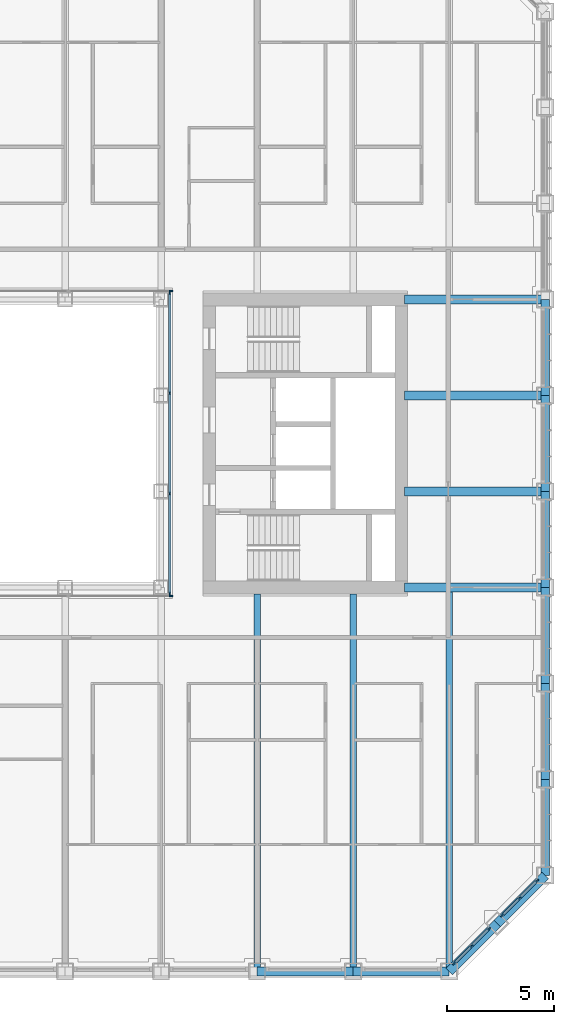
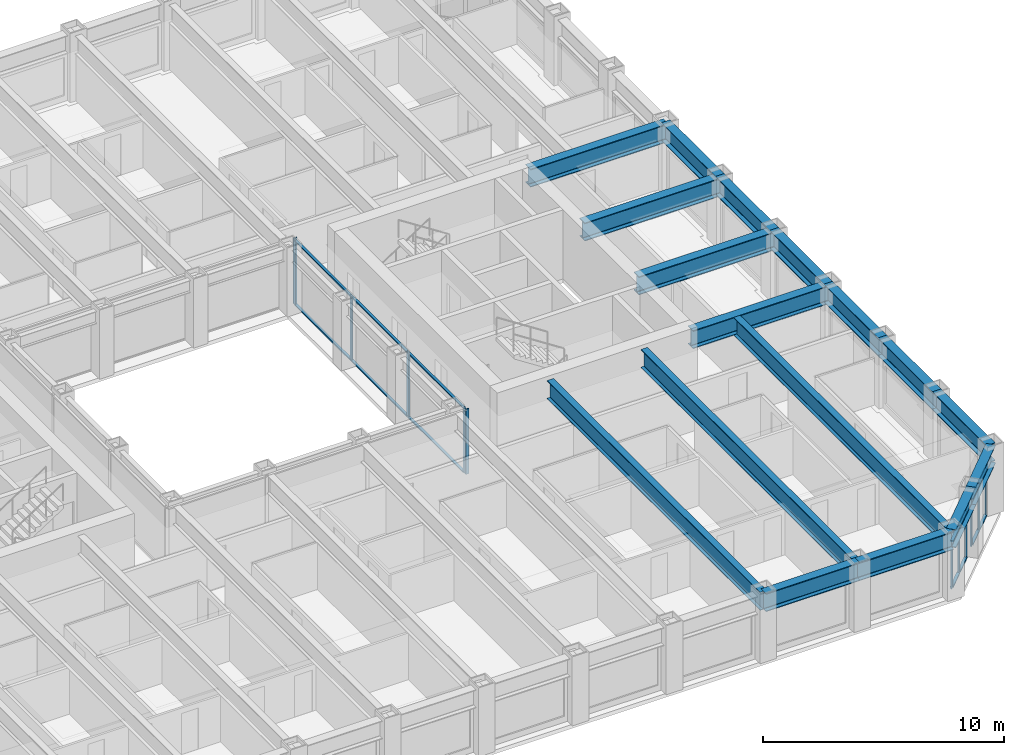
# One storey, part 5 of 20: 26 members, 17 beams, 5 elements without a shape of their own.
"""IFC4 building model written with IfcOpenShell, lengths in metres."""

from ifc_helpers import new_model, si_unit, direction, frame, origin, origin_2d, place, context, subcontext, project, spatial, rectangle, i_section, extrude, material, material_profile, profile_set, type_object, element, aggregate, save


model = new_model("IFC4")

# Units and contexts
model_context = context("Model", 3, precision=1e-05, world=origin(), true_north=direction((0.0, 1.0)))
body_context = subcontext(model_context, "Body", "Model", "MODEL_VIEW")
ifc_project = project(units=[si_unit("LENGTHUNIT", "METRE"), si_unit("AREAUNIT", "SQUARE_METRE"), si_unit("VOLUMEUNIT", "CUBIC_METRE"), si_unit("PLANEANGLEUNIT", "RADIAN"), si_unit("MASSUNIT", "GRAM", prefix="KILO")], contexts=[model_context])

# Site, building, storey
site_placement = place(None, origin())
site = spatial("IfcSite", under=ifc_project, at=site_placement, CompositionType="ELEMENT")
building_placement = place(site_placement, origin())
building = spatial("IfcBuilding", under=site, at=building_placement, Name="Msasa Ring Tower", CompositionType="ELEMENT")
storey_placement = place(building_placement, frame((0.0, 0.0, 58.0)))
storey = spatial("IfcBuildingStorey", under=building, at=storey_placement, Name="L14", CompositionType="ELEMENT", Elevation=58.0)

# Curtain wall, members
ifc_material_1 = material(Name="Aluminium curtain wall with clear glass", Category="aluminium")
curtain_wall_type_1 = type_object("IfcCurtainWallType", Name="CW-C CHAMFER CORNER CURTAIN WALL", PredefinedType="NOTDEFINED", material=ifc_material_1)
curtain_wall_1_placement = place(storey_placement, origin())
curtain_wall_1 = element("IfcCurtainWall", 1, at=curtain_wall_1_placement, inside=storey, type_object=curtain_wall_type_1, Name="Chamfer corner curtain wall SE L14", PredefinedType="NOTDEFINED")
ifc_material_2 = material(Name="Aluminium mullion", Category="aluminium")
ifc_material_profile_1 = material_profile(ifc_material_2, rectangle(XDim=0.06494140625, YDim=0.179931640625, at=origin_2d()), Name="AL 65x180")
ifc_profile_set_1 = profile_set([ifc_material_profile_1], Name="Aluminium mullion")
member_type_1 = type_object("IfcMemberType", Name="CW-C MULLION 65x180", PredefinedType="MULLION", material=ifc_profile_set_1)
member_1_placement = place(storey_placement, frame((20.48876953125, -24.369873046875, 0.0), z_axis=(0.0, 0.0, 1.0), x_axis=(-0.707106781187, 0.707106781187, 0.0)))
member_1 = element("IfcMember", 2, at=member_1_placement, type_object=member_type_1, Name="CW-C mullion 1", PredefinedType="MULLION", context=body_context, shape_type="SweptSolid", body=[
    extrude(rectangle(XDim=0.06494140625, YDim=0.179931640625, at=origin_2d()), origin(), (0.0, 0.0, 1.0), 2.37890625),
])
member_2_placement = place(storey_placement, frame((21.30419921875, -23.55419921875, 0.0), z_axis=(0.0, 0.0, 1.0), x_axis=(-0.707106781187, 0.707106781187, 0.0)))
member_2 = element("IfcMember", 3, at=member_2_placement, type_object=member_type_1, Name="CW-C mullion 2", PredefinedType="MULLION", context=body_context, shape_type="SweptSolid", body=[
    extrude(rectangle(XDim=0.06494140625, YDim=0.179931640625, at=origin_2d()), origin(), (0.0, 0.0, 1.0), 2.37890625),
])
member_3_placement = place(storey_placement, frame((22.119873046875, -22.73876953125, 0.0), z_axis=(0.0, 0.0, 1.0), x_axis=(-0.707106781187, 0.707106781187, 0.0)))
member_3 = element("IfcMember", 4, at=member_3_placement, type_object=member_type_1, Name="CW-C mullion 3", PredefinedType="MULLION", context=body_context, shape_type="SweptSolid", body=[
    extrude(rectangle(XDim=0.06494140625, YDim=0.179931640625, at=origin_2d()), origin(), (0.0, 0.0, 1.0), 2.37890625),
])

curtain_wall_2_placement = place(storey_placement, origin())
curtain_wall_2 = element("IfcCurtainWall", 5, at=curtain_wall_2_placement, inside=storey, type_object=curtain_wall_type_1, Name="Chamfer corner curtain wall SE L14", PredefinedType="NOTDEFINED")
member_4_placement = place(storey_placement, frame((22.73876953125, -22.119873046875, 0.0), z_axis=(0.0, 0.0, 1.0), x_axis=(-0.707106781187, 0.707106781187, 0.0)))
member_4 = element("IfcMember", 6, at=member_4_placement, type_object=member_type_1, Name="CW-C mullion 1", PredefinedType="MULLION", context=body_context, shape_type="SweptSolid", body=[
    extrude(rectangle(XDim=0.06494140625, YDim=0.179931640625, at=origin_2d()), origin(), (0.0, 0.0, 1.0), 2.37890625),
])
member_5_placement = place(storey_placement, frame((23.55419921875, -21.30419921875, 0.0), z_axis=(0.0, 0.0, 1.0), x_axis=(-0.707106781187, 0.707106781187, 0.0)))
member_5 = element("IfcMember", 7, at=member_5_placement, type_object=member_type_1, Name="CW-C mullion 2", PredefinedType="MULLION", context=body_context, shape_type="SweptSolid", body=[
    extrude(rectangle(XDim=0.06494140625, YDim=0.179931640625, at=origin_2d()), origin(), (0.0, 0.0, 1.0), 2.37890625),
])
member_6_placement = place(storey_placement, frame((24.369873046875, -20.48876953125, 0.0), z_axis=(0.0, 0.0, 1.0), x_axis=(-0.707106781187, 0.707106781187, 0.0)))
member_6 = element("IfcMember", 8, at=member_6_placement, type_object=member_type_1, Name="CW-C mullion 3", PredefinedType="MULLION", context=body_context, shape_type="SweptSolid", body=[
    extrude(rectangle(XDim=0.06494140625, YDim=0.179931640625, at=origin_2d()), origin(), (0.0, 0.0, 1.0), 2.37890625),
])

# Member
ifc_material_3 = material(Name="Aluminium transom", Category="aluminium")
ifc_material_profile_2 = material_profile(ifc_material_3, rectangle(XDim=0.139892578125, YDim=0.06494140625, at=origin_2d()), Name="AL 65x140")
ifc_profile_set_2 = profile_set([ifc_material_profile_2], Name="Aluminium transom")
member_type_2 = type_object("IfcMemberType", Name="CW-C TRANSOM 65x140", PredefinedType="USERDEFINED", material=ifc_profile_set_2)
member_7_placement = place(storey_placement, frame((20.51171875, -24.346923828125, 0.032470703125), z_axis=(0.707106781187, 0.707106781187, 0.0), x_axis=(-0.707106781187, 0.707106781187, 0.0)))
member_7 = element("IfcMember", 9, at=member_7_placement, type_object=member_type_2, Name="CW-C transom 1.1", ObjectType="TRANSOM", PredefinedType="USERDEFINED", context=body_context, shape_type="SweptSolid", body=[
    extrude(rectangle(XDim=0.139892578125, YDim=0.06494140625, at=origin_2d()), origin(), (0.0, 0.0, 1.0), 1.08837890625),
])

member_8_placement = place(storey_placement, frame((20.51171875, -24.346923828125, 2.346435546875), z_axis=(0.707106781187, 0.707106781187, 0.0), x_axis=(-0.707106781187, 0.707106781187, 0.0)))
member_8 = element("IfcMember", 10, at=member_8_placement, type_object=member_type_2, Name="CW-C transom 1.2", ObjectType="TRANSOM", PredefinedType="USERDEFINED", context=body_context, shape_type="SweptSolid", body=[
    extrude(rectangle(XDim=0.139892578125, YDim=0.06494140625, at=origin_2d()), origin(), (0.0, 0.0, 1.0), 1.08837890625),
])

member_9_placement = place(storey_placement, frame((21.327392578125, -23.53125, 0.032470703125), z_axis=(0.707106781187, 0.707106781187, 0.0), x_axis=(-0.707106781187, 0.707106781187, 0.0)))
member_9 = element("IfcMember", 11, at=member_9_placement, type_object=member_type_2, Name="CW-C transom 2.1", ObjectType="TRANSOM", PredefinedType="USERDEFINED", context=body_context, shape_type="SweptSolid", body=[
    extrude(rectangle(XDim=0.139892578125, YDim=0.06494140625, at=origin_2d()), origin(), (0.0, 0.0, 1.0), 1.08837890625),
])

member_10_placement = place(storey_placement, frame((21.327392578125, -23.53125, 2.346435546875), z_axis=(0.707106781187, 0.707106781187, 0.0), x_axis=(-0.707106781187, 0.707106781187, 0.0)))
member_10 = element("IfcMember", 12, at=member_10_placement, type_object=member_type_2, Name="CW-C transom 2.2", ObjectType="TRANSOM", PredefinedType="USERDEFINED", context=body_context, shape_type="SweptSolid", body=[
    extrude(rectangle(XDim=0.139892578125, YDim=0.06494140625, at=origin_2d()), origin(), (0.0, 0.0, 1.0), 1.08837890625),
])

aggregate(curtain_wall_1, [member_1, member_2, member_3, member_7, member_8, member_9, member_10])

member_11_placement = place(storey_placement, frame((22.76171875, -22.096923828125, 0.032470703125), z_axis=(0.707106781187, 0.707106781187, 0.0), x_axis=(-0.707106781187, 0.707106781187, 0.0)))
member_11 = element("IfcMember", 13, at=member_11_placement, type_object=member_type_2, Name="CW-C transom 1.1", ObjectType="TRANSOM", PredefinedType="USERDEFINED", context=body_context, shape_type="SweptSolid", body=[
    extrude(rectangle(XDim=0.139892578125, YDim=0.06494140625, at=origin_2d()), origin(), (0.0, 0.0, 1.0), 1.08837890625),
])

member_12_placement = place(storey_placement, frame((22.76171875, -22.096923828125, 2.346435546875), z_axis=(0.707106781187, 0.707106781187, 0.0), x_axis=(-0.707106781187, 0.707106781187, 0.0)))
member_12 = element("IfcMember", 14, at=member_12_placement, type_object=member_type_2, Name="CW-C transom 1.2", ObjectType="TRANSOM", PredefinedType="USERDEFINED", context=body_context, shape_type="SweptSolid", body=[
    extrude(rectangle(XDim=0.139892578125, YDim=0.06494140625, at=origin_2d()), origin(), (0.0, 0.0, 1.0), 1.08837890625),
])

member_13_placement = place(storey_placement, frame((23.577392578125, -21.28125, 0.032470703125), z_axis=(0.707106781187, 0.707106781187, 0.0), x_axis=(-0.707106781187, 0.707106781187, 0.0)))
member_13 = element("IfcMember", 15, at=member_13_placement, type_object=member_type_2, Name="CW-C transom 2.1", ObjectType="TRANSOM", PredefinedType="USERDEFINED", context=body_context, shape_type="SweptSolid", body=[
    extrude(rectangle(XDim=0.139892578125, YDim=0.06494140625, at=origin_2d()), origin(), (0.0, 0.0, 1.0), 1.08837890625),
])

member_14_placement = place(storey_placement, frame((23.577392578125, -21.28125, 2.346435546875), z_axis=(0.707106781187, 0.707106781187, 0.0), x_axis=(-0.707106781187, 0.707106781187, 0.0)))
member_14 = element("IfcMember", 16, at=member_14_placement, type_object=member_type_2, Name="CW-C transom 2.2", ObjectType="TRANSOM", PredefinedType="USERDEFINED", context=body_context, shape_type="SweptSolid", body=[
    extrude(rectangle(XDim=0.139892578125, YDim=0.06494140625, at=origin_2d()), origin(), (0.0, 0.0, 1.0), 1.08837890625),
])

aggregate(curtain_wall_2, [member_4, member_5, member_6, member_11, member_12, member_13, member_14])

# Curtain wall, member
ifc_material_4 = material(Name="Aluminium curtain wall with clear glass", Category="aluminium")
curtain_wall_type_2 = type_object("IfcCurtainWallType", Name="CW-W LIGHT WELL CURTAIN WALL", PredefinedType="NOTDEFINED", material=ifc_material_4)
curtain_wall_3_placement = place(storey_placement, origin())
curtain_wall_3 = element("IfcCurtainWall", 17, at=curtain_wall_3_placement, inside=storey, type_object=curtain_wall_type_2, Name="Light well curtain wall N L14", PredefinedType="NOTDEFINED")
ifc_material_5 = material(Name="Aluminium mullion", Category="aluminium")
ifc_material_profile_3 = material_profile(ifc_material_5, rectangle(XDim=0.06005859375, YDim=0.159912109375, at=origin_2d()), Name="AL 60x160")
ifc_profile_set_3 = profile_set([ifc_material_profile_3], Name="Aluminium mullion")
member_type_3 = type_object("IfcMemberType", Name="CW-W MULLION 60x160", PredefinedType="MULLION", material=ifc_profile_set_3)
member_15_placement = place(storey_placement, frame((7.199951171875, 7.14990234375, 0.0), z_axis=(0.0, 0.0, 1.0), x_axis=(0.0, 1.0, 0.0)))
member_15 = element("IfcMember", 18, at=member_15_placement, type_object=member_type_3, Name="CW-W mullion 4", PredefinedType="MULLION", context=body_context, shape_type="SweptSolid", body=[
    extrude(rectangle(XDim=0.06005859375, YDim=0.159912109375, at=origin_2d()), origin(), (0.0, 0.0, 1.0), 3.300048828125),
])
aggregate(curtain_wall_3, [member_15])

curtain_wall_4_placement = place(storey_placement, origin())
curtain_wall_4 = element("IfcCurtainWall", 19, at=curtain_wall_4_placement, inside=storey, type_object=curtain_wall_type_2, Name="Light well curtain wall S L14", PredefinedType="NOTDEFINED")
member_16_placement = place(storey_placement, frame((7.199951171875, -7.14990234375, 0.0), z_axis=(0.0, 0.0, 1.0), x_axis=(0.0, 1.0, 0.0)))
member_16 = element("IfcMember", 20, at=member_16_placement, type_object=member_type_3, Name="CW-W mullion 4", PredefinedType="MULLION", context=body_context, shape_type="SweptSolid", body=[
    extrude(rectangle(XDim=0.06005859375, YDim=0.159912109375, at=origin_2d()), origin(), (0.0, 0.0, 1.0), 3.300048828125),
])
aggregate(curtain_wall_4, [member_16])

# Curtain wall, members
curtain_wall_5_placement = place(storey_placement, origin())
curtain_wall_5 = element("IfcCurtainWall", 21, at=curtain_wall_5_placement, inside=storey, type_object=curtain_wall_type_2, Name="Light well curtain wall E L14", PredefinedType="NOTDEFINED")
member_17_placement = place(storey_placement, frame((7.14990234375, -7.0400390625, 0.0), z_axis=(0.0, 0.0, 1.0), x_axis=(-1.0, 0.0, 0.0)))
member_17 = element("IfcMember", 22, at=member_17_placement, type_object=member_type_3, Name="CW-W mullion 1", PredefinedType="MULLION", context=body_context, shape_type="SweptSolid", body=[
    extrude(rectangle(XDim=0.06005859375, YDim=0.159912109375, at=origin_2d()), origin(), (0.0, 0.0, 1.0), 3.300048828125),
])
member_18_placement = place(storey_placement, frame((7.14990234375, -2.356689453125, 0.0), z_axis=(0.0, 0.0, 1.0), x_axis=(-1.0, 0.0, 0.0)))
member_18 = element("IfcMember", 23, at=member_18_placement, type_object=member_type_3, Name="CW-W mullion 2", PredefinedType="MULLION", context=body_context, shape_type="SweptSolid", body=[
    extrude(rectangle(XDim=0.06005859375, YDim=0.159912109375, at=origin_2d()), origin(), (0.0, 0.0, 1.0), 3.300048828125),
])
member_19_placement = place(storey_placement, frame((7.14990234375, 2.356689453125, 0.0), z_axis=(0.0, 0.0, 1.0), x_axis=(-1.0, 0.0, 0.0)))
member_19 = element("IfcMember", 24, at=member_19_placement, type_object=member_type_3, Name="CW-W mullion 3", PredefinedType="MULLION", context=body_context, shape_type="SweptSolid", body=[
    extrude(rectangle(XDim=0.06005859375, YDim=0.159912109375, at=origin_2d()), origin(), (0.0, 0.0, 1.0), 3.300048828125),
])
member_20_placement = place(storey_placement, frame((7.14990234375, 7.0400390625, 0.0), z_axis=(0.0, 0.0, 1.0), x_axis=(-1.0, 0.0, 0.0)))
member_20 = element("IfcMember", 25, at=member_20_placement, type_object=member_type_3, Name="CW-W mullion 4", PredefinedType="MULLION", context=body_context, shape_type="SweptSolid", body=[
    extrude(rectangle(XDim=0.06005859375, YDim=0.159912109375, at=origin_2d()), origin(), (0.0, 0.0, 1.0), 3.300048828125),
])
ifc_material_6 = material(Name="Aluminium transom", Category="aluminium")
ifc_material_profile_4 = material_profile(ifc_material_6, rectangle(XDim=0.1201171875, YDim=0.06005859375, at=origin_2d()), Name="AL 60x120")
ifc_profile_set_4 = profile_set([ifc_material_profile_4], Name="Aluminium transom")
member_type_4 = type_object("IfcMemberType", Name="CW-W TRANSOM 60x120", PredefinedType="USERDEFINED", material=ifc_profile_set_4)
member_21_placement = place(storey_placement, frame((7.14990234375, -7.010009765625, 0.030029296875), z_axis=(0.0, 1.0, 0.0), x_axis=(-1.0, 0.0, 0.0)))
member_21 = element("IfcMember", 26, at=member_21_placement, type_object=member_type_4, Name="CW-W transom 1.1", ObjectType="TRANSOM", PredefinedType="USERDEFINED", context=body_context, shape_type="SweptSolid", body=[
    extrude(rectangle(XDim=0.1201171875, YDim=0.06005859375, at=origin_2d()), origin(), (0.0, 0.0, 1.0), 4.623291015625),
])
member_22_placement = place(storey_placement, frame((7.14990234375, -7.010009765625, 3.27001953125), z_axis=(0.0, 1.0, 0.0), x_axis=(-1.0, 0.0, 0.0)))
member_22 = element("IfcMember", 27, at=member_22_placement, type_object=member_type_4, Name="CW-W transom 1.2", ObjectType="TRANSOM", PredefinedType="USERDEFINED", context=body_context, shape_type="SweptSolid", body=[
    extrude(rectangle(XDim=0.1201171875, YDim=0.06005859375, at=origin_2d()), origin(), (0.0, 0.0, 1.0), 4.623291015625),
])
member_23_placement = place(storey_placement, frame((7.14990234375, -2.32666015625, 0.030029296875), z_axis=(0.0, 1.0, 0.0), x_axis=(-1.0, 0.0, 0.0)))
member_23 = element("IfcMember", 28, at=member_23_placement, type_object=member_type_4, Name="CW-W transom 2.1", ObjectType="TRANSOM", PredefinedType="USERDEFINED", context=body_context, shape_type="SweptSolid", body=[
    extrude(rectangle(XDim=0.1201171875, YDim=0.06005859375, at=origin_2d()), origin(), (0.0, 0.0, 1.0), 4.6533203125),
])
member_24_placement = place(storey_placement, frame((7.14990234375, -2.32666015625, 3.27001953125), z_axis=(0.0, 1.0, 0.0), x_axis=(-1.0, 0.0, 0.0)))
member_24 = element("IfcMember", 29, at=member_24_placement, type_object=member_type_4, Name="CW-W transom 2.2", ObjectType="TRANSOM", PredefinedType="USERDEFINED", context=body_context, shape_type="SweptSolid", body=[
    extrude(rectangle(XDim=0.1201171875, YDim=0.06005859375, at=origin_2d()), origin(), (0.0, 0.0, 1.0), 4.6533203125),
])
member_25_placement = place(storey_placement, frame((7.14990234375, 2.38671875, 0.030029296875), z_axis=(0.0, 1.0, 0.0), x_axis=(-1.0, 0.0, 0.0)))
member_25 = element("IfcMember", 30, at=member_25_placement, type_object=member_type_4, Name="CW-W transom 3.1", ObjectType="TRANSOM", PredefinedType="USERDEFINED", context=body_context, shape_type="SweptSolid", body=[
    extrude(rectangle(XDim=0.1201171875, YDim=0.06005859375, at=origin_2d()), origin(), (0.0, 0.0, 1.0), 4.623291015625),
])
member_26_placement = place(storey_placement, frame((7.14990234375, 2.38671875, 3.27001953125), z_axis=(0.0, 1.0, 0.0), x_axis=(-1.0, 0.0, 0.0)))
member_26 = element("IfcMember", 31, at=member_26_placement, type_object=member_type_4, Name="CW-W transom 3.2", ObjectType="TRANSOM", PredefinedType="USERDEFINED", context=body_context, shape_type="SweptSolid", body=[
    extrude(rectangle(XDim=0.1201171875, YDim=0.06005859375, at=origin_2d()), origin(), (0.0, 0.0, 1.0), 4.623291015625),
])
aggregate(curtain_wall_5, [member_17, member_18, member_19, member_20, member_21, member_22, member_23, member_24, member_25, member_26])

# Beams
ifc_material_7 = material(Name="Steel S355", Category="steel")
ifc_material_profile_5 = material_profile(ifc_material_7, i_section(OverallWidth=0.42041015625, OverallDepth=0.9208984375, WebThickness=0.021484375, FlangeThickness=0.03662109375, FilletRadius=0.024169921875, at=origin_2d()), Name="UB 914x419x388")
ifc_profile_set_5 = profile_set([ifc_material_profile_5], Name="Steel S355")
beam_type_1 = type_object("IfcBeamType", Name="FB2 UB 914x419x388", PredefinedType="BEAM", material=ifc_profile_set_5)
for number, where, z_axis, x_axis, name in (
    (32, (24.75, -2.25, 2.839599609375), (-1.0, 0.0, 0.0), (0.0, -1.0, 0.0), "Floor beam E -2.25 under L15"),
    (33, (24.75, 2.25, 2.839599609375), (-1.0, 0.0, 0.0), (0.0, -1.0, 0.0), "Floor beam E +2.25 under L15"),
):
    element("IfcBeam", number, at=place(storey_placement, frame(where, z_axis=z_axis, x_axis=x_axis)), inside=storey, type_object=beam_type_1, Name=name, PredefinedType="BEAM", context=body_context, shape_type="SweptSolid", body=[
        extrude(i_section(OverallWidth=0.42041015625, OverallDepth=0.9208984375, WebThickness=0.021484375, FlangeThickness=0.03662109375, FilletRadius=0.024169921875, at=origin_2d()), origin(), (0.0, 0.0, 1.0), 6.60009765625),
    ])
ifc_material_8 = material(Name="Steel S355", Category="steel")
ifc_material_profile_6 = material_profile(ifc_material_8, i_section(OverallWidth=0.3076171875, OverallDepth=0.926513671875, WebThickness=0.01953125, FlangeThickness=0.031982421875, FilletRadius=0.01904296875, at=origin_2d()), Name="UB 914x305x289")
ifc_profile_set_6 = profile_set([ifc_material_profile_6], Name="Steel S355")
beam_type_2 = type_object("IfcBeamType", Name="FB3 UB 914x305x289", PredefinedType="BEAM", material=ifc_profile_set_6)
for number, where, z_axis, x_axis, name in (
    (34, (11.25, -24.75, 2.836669921875), (0.0, 1.0, 0.0), (-1.0, 0.0, 0.0), "Floor beam S+11.25 under L15"),
    (35, (15.75, -24.75, 2.836669921875), (0.0, 1.0, 0.0), (-1.0, 0.0, 0.0), "Floor beam S+15.75 under L15"),
):
    element("IfcBeam", number, at=place(storey_placement, frame(where, z_axis=z_axis, x_axis=x_axis)), inside=storey, type_object=beam_type_2, Name=name, PredefinedType="BEAM", context=body_context, shape_type="SweptSolid", body=[
        extrude(i_section(OverallWidth=0.3076171875, OverallDepth=0.926513671875, WebThickness=0.01953125, FlangeThickness=0.031982421875, FilletRadius=0.01904296875, at=origin_2d()), origin(), (0.0, 0.0, 1.0), 17.699951171875),
    ])
beam_placement = place(storey_placement, frame((20.25, -24.75, 2.836669921875), z_axis=(0.0, 1.0, 0.0), x_axis=(-1.0, 0.0, 0.0)))
element("IfcBeam", 36, at=beam_placement, inside=storey, type_object=beam_type_2, Name="Floor beam S+20.25 under L15", PredefinedType="BEAM", context=body_context, shape_type="SweptSolid", body=[
    extrude(i_section(OverallWidth=0.3076171875, OverallDepth=0.926513671875, WebThickness=0.01953125, FlangeThickness=0.031982421875, FilletRadius=0.01904296875, at=origin_2d()), origin(), (0.0, 0.0, 1.0), 17.789794921875),
])
ifc_material_9 = material(Name="Steel S355", Category="steel")
ifc_material_profile_7 = material_profile(ifc_material_9, i_section(OverallWidth=0.42041015625, OverallDepth=0.9208984375, WebThickness=0.021484375, FlangeThickness=0.03662109375, FilletRadius=0.024169921875, at=origin_2d()), Name="UB 914x419x388")
ifc_profile_set_7 = profile_set([ifc_material_profile_7], Name="Steel S355")
beam_type_3 = type_object("IfcBeamType", Name="GB1 UB 914x419x388", PredefinedType="BEAM", material=ifc_profile_set_7)
for number, where, z_axis, x_axis, name in (
    (37, (18.14990234375, 6.75, 2.839599609375), (1.0, 0.0, 0.0), (0.0, 1.0, 0.0), "Girder E +6.75 under L15"),
    (38, (18.14990234375, -6.75, 2.839599609375), (1.0, 0.0, 0.0), (0.0, 1.0, 0.0), "Girder E -6.75 under L15"),
):
    element("IfcBeam", number, at=place(storey_placement, frame(where, z_axis=z_axis, x_axis=x_axis)), inside=storey, type_object=beam_type_3, Name=name, PredefinedType="BEAM", context=body_context, shape_type="SweptSolid", body=[
        extrude(i_section(OverallWidth=0.42041015625, OverallDepth=0.9208984375, WebThickness=0.021484375, FlangeThickness=0.03662109375, FilletRadius=0.024169921875, at=origin_2d()), origin(), (0.0, 0.0, 1.0), 6.60009765625),
    ])
ifc_material_10 = material(Name="Steel S355", Category="steel")
ifc_material_profile_8 = material_profile(ifc_material_10, i_section(OverallWidth=0.42041015625, OverallDepth=0.9208984375, WebThickness=0.021484375, FlangeThickness=0.03662109375, FilletRadius=0.024169921875, at=origin_2d()), Name="UB 914x419x388")
ifc_profile_set_8 = profile_set([ifc_material_profile_8], Name="Steel S355")
beam_type_4 = type_object("IfcBeamType", Name="SB1 UB 914x419x388", PredefinedType="SPANDREL", material=ifc_profile_set_8)
for number, where, z_axis, x_axis, name in (
    (39, (11.25, -24.75, 2.839599609375), (1.0, 0.0, 0.0), (0.0, 1.0, 0.0), "Spandrel S+11.25 to S+15.75 under L15"),
    (40, (15.75, -24.75, 2.839599609375), (1.0, 0.0, 0.0), (0.0, 1.0, 0.0), "Spandrel S+15.75 to S+20.25 under L15"),
):
    element("IfcBeam", number, at=place(storey_placement, frame(where, z_axis=z_axis, x_axis=x_axis)), inside=storey, type_object=beam_type_4, Name=name, PredefinedType="SPANDREL", context=body_context, shape_type="SweptSolid", body=[
        extrude(i_section(OverallWidth=0.42041015625, OverallDepth=0.9208984375, WebThickness=0.021484375, FlangeThickness=0.03662109375, FilletRadius=0.024169921875, at=origin_2d()), origin(), (0.0, 0.0, 1.0), 4.5),
    ])
for number, where, z_axis, x_axis, name in (
    (41, (20.25, -24.75, 2.839599609375), (0.707106781187, 0.707106781187, 0.0), (-0.707106781187, 0.707106781187, 0.0), "Spandrel S+20.25 to SE under L15"),
    (42, (22.5, -22.5, 2.839599609375), (0.707106781187, 0.707106781187, 0.0), (-0.707106781187, 0.707106781187, 0.0), "Spandrel SE to E-20.25 under L15"),
):
    element("IfcBeam", number, at=place(storey_placement, frame(where, z_axis=z_axis, x_axis=x_axis)), inside=storey, type_object=beam_type_4, Name=name, PredefinedType="SPANDREL", context=body_context, shape_type="SweptSolid", body=[
        extrude(i_section(OverallWidth=0.42041015625, OverallDepth=0.9208984375, WebThickness=0.021484375, FlangeThickness=0.03662109375, FilletRadius=0.024169921875, at=origin_2d()), origin(), (0.0, 0.0, 1.0), 3.181884765625),
    ])
for number, where, z_axis, x_axis, name in (
    (43, (24.75, -20.25, 2.839599609375), (0.0, 1.0, 0.0), (-1.0, 0.0, 0.0), "Spandrel E-20.25 to E-15.75 under L15"),
    (44, (24.75, -15.75, 2.839599609375), (0.0, 1.0, 0.0), (-1.0, 0.0, 0.0), "Spandrel E-15.75 to E-11.25 under L15"),
    (45, (24.75, -11.25, 2.839599609375), (0.0, 1.0, 0.0), (-1.0, 0.0, 0.0), "Spandrel E-11.25 to E-6.75 under L15"),
    (46, (24.75, -6.75, 2.839599609375), (0.0, 1.0, 0.0), (-1.0, 0.0, 0.0), "Spandrel E-6.75 to E-2.25 under L15"),
    (47, (24.75, -2.25, 2.839599609375), (0.0, 1.0, 0.0), (-1.0, 0.0, 0.0), "Spandrel E-2.25 to E+2.25 under L15"),
    (48, (24.75, 2.25, 2.839599609375), (0.0, 1.0, 0.0), (-1.0, 0.0, 0.0), "Spandrel E+2.25 to E+6.75 under L15"),
):
    element("IfcBeam", number, at=place(storey_placement, frame(where, z_axis=z_axis, x_axis=x_axis)), inside=storey, type_object=beam_type_4, Name=name, PredefinedType="SPANDREL", context=body_context, shape_type="SweptSolid", body=[
        extrude(i_section(OverallWidth=0.42041015625, OverallDepth=0.9208984375, WebThickness=0.021484375, FlangeThickness=0.03662109375, FilletRadius=0.024169921875, at=origin_2d()), origin(), (0.0, 0.0, 1.0), 4.5),
    ])

save(model, "model.ifc")
